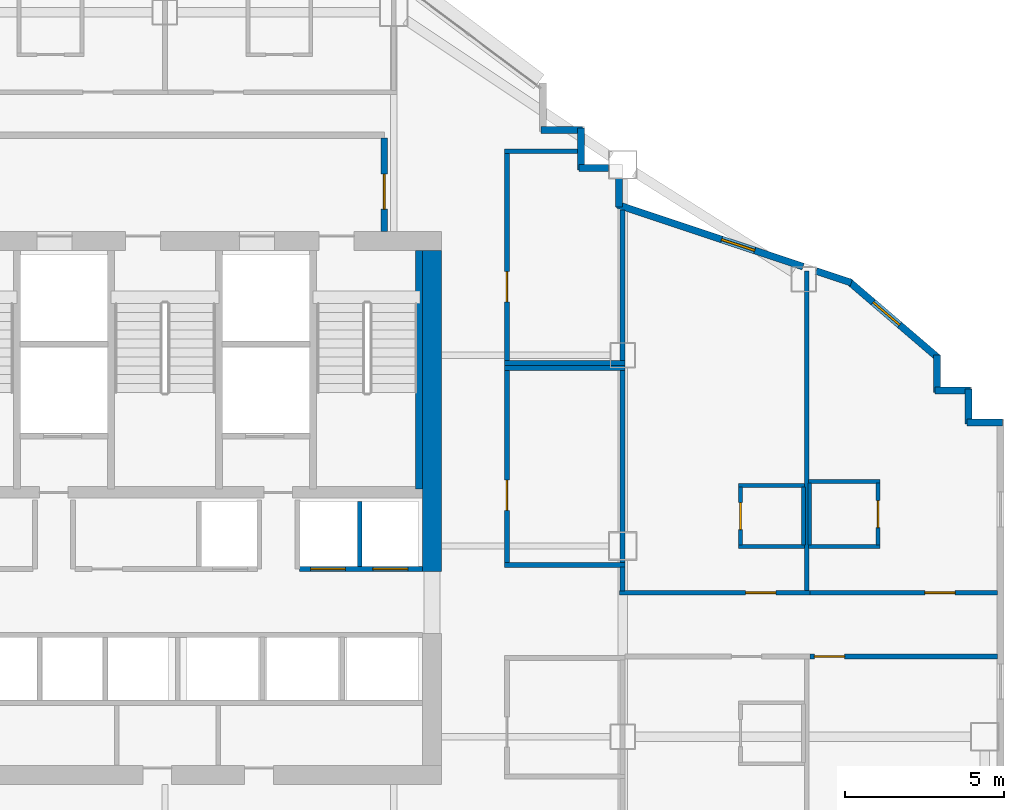
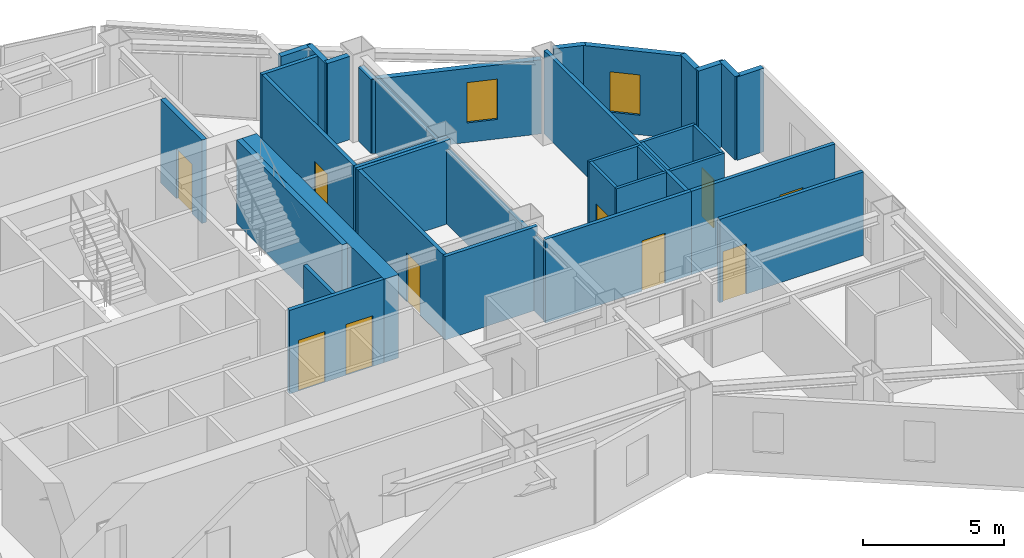
# One storey, part 8 of 11: 37 walls, 10 doors, 2 windows, 12 openings.
"""IFC4 building model written with IfcOpenShell, lengths in metres."""

from ifc_helpers import new_model, si_unit, direction, frame, frame_2d, origin, place, context, subcontext, project, spatial, rectangle, extrude, material, layer, layer_set, type_object, element, fill, save


model = new_model("IFC4")

# Units and contexts
model_context = context("Model", 3, precision=1e-05, world=origin(), true_north=direction((0.0, 1.0)))
body_context = subcontext(model_context, "Body", "Model", "MODEL_VIEW")
ifc_project = project(units=[si_unit("LENGTHUNIT", "METRE"), si_unit("AREAUNIT", "SQUARE_METRE"), si_unit("VOLUMEUNIT", "CUBIC_METRE"), si_unit("PLANEANGLEUNIT", "RADIAN"), si_unit("MASSUNIT", "GRAM", prefix="KILO")], contexts=[model_context])

# Site, building, storey
site_placement = place(None, origin())
site = spatial("IfcSite", under=ifc_project, at=site_placement, CompositionType="ELEMENT")
building_placement = place(site_placement, origin())
building = spatial("IfcBuilding", under=site, at=building_placement, Name="Haolan Belvedere Tower", CompositionType="ELEMENT")
storey_placement = place(building_placement, frame((0.0, 0.0, 172.800048828125)))
storey = spatial("IfcBuildingStorey", under=building, at=storey_placement, Name="L43", CompositionType="ELEMENT", Elevation=172.800048828125)

# Walls
ifc_material_1 = material(Name="Concrete C60/75", Category="concrete")
ifc_layer_1 = layer(ifc_material_1, 0.60009765625, Name="Concrete C60/75")
ifc_layer_set_1 = layer_set([ifc_layer_1], Name="Concrete C60/75")
wall_type_1 = type_object("IfcWallType", Name="WL-CORE-600", PredefinedType="SHEAR", material=ifc_layer_set_1)
wall_1_placement = place(storey_placement, frame((46.800048828125, 32.800048828125, 0.0), z_axis=(0.0, 0.0, 1.0), x_axis=(0.0, 1.0, 0.0)))
element("IfcWall", 1, at=wall_1_placement, inside=storey, type_object=wall_type_1, Name="L43 central core shear wall EN", PredefinedType="SHEAR", context=body_context, shape_type="SweptSolid", body=[
    extrude(rectangle(XDim=10.099853515625, YDim=0.60009765625, at=frame_2d((5.0498046875, 0.0))), origin(), (0.0, 0.0, 1.0), 3.619873046875),
])
ifc_material_2 = material(Name="Precast concrete C40/50", Category="concrete")
ifc_layer_2 = layer(ifc_material_2, 0.219970703125, Name="Precast concrete C40/50")
ifc_layer_set_2 = layer_set([ifc_layer_2], Name="Precast concrete C40/50")
wall_type_2 = type_object("IfcWallType", Name="WL-EXT-220", PredefinedType="SOLIDWALL", material=ifc_layer_set_2)
wall_2_placement = place(storey_placement, frame((64.7451171875, 37.489990234375, 0.0), z_axis=(0.0, 0.0, 1.0), x_axis=(-1.0, 0.0, 0.0)))
element("IfcWall", 2, at=wall_2_placement, inside=storey, type_object=wall_type_2, Name="L43 pale-metal exterior spandrel wall 9.1", PredefinedType="SOLIDWALL", context=body_context, shape_type="SweptSolid", body=[
    extrude(rectangle(XDim=1.110107421875, YDim=0.219970703125, at=frame_2d((0.55517578125, 0.0))), origin(), (0.0, 0.0, 1.0), 3.619873046875),
])
wall_3_placement = place(storey_placement, frame((63.68994140625, 37.43505859375, 0.0), z_axis=(0.0, 0.0, 1.0), x_axis=(0.0, 1.0, 0.0)))
element("IfcWall", 3, at=wall_3_placement, inside=storey, type_object=wall_type_2, Name="L43 pale-metal exterior spandrel wall 10.1", PredefinedType="SOLIDWALL", context=body_context, shape_type="SweptSolid", body=[
    extrude(rectangle(XDim=1.10986328125, YDim=0.219970703125, at=frame_2d((0.554931640625, 0.0))), origin(), (0.0, 0.0, 1.0), 3.619873046875),
])
wall_4_placement = place(storey_placement, frame((63.7451171875, 38.489990234375, 0.0), z_axis=(0.0, 0.0, 1.0), x_axis=(-1.0, 0.0, 0.0)))
element("IfcWall", 4, at=wall_4_placement, inside=storey, type_object=wall_type_2, Name="L43 pale-metal exterior spandrel wall 11.1", PredefinedType="SOLIDWALL", context=body_context, shape_type="SweptSolid", body=[
    extrude(rectangle(XDim=1.110107421875, YDim=0.219970703125, at=frame_2d((0.55517578125, 0.0))), origin(), (0.0, 0.0, 1.0), 3.619873046875),
])
wall_5_placement = place(storey_placement, frame((62.68994140625, 38.43505859375, 0.0), z_axis=(0.0, 0.0, 1.0), x_axis=(0.0, 1.0, 0.0)))
element("IfcWall", 5, at=wall_5_placement, inside=storey, type_object=wall_type_2, Name="L43 pale-metal exterior spandrel wall 12.1", PredefinedType="SOLIDWALL", context=body_context, shape_type="SweptSolid", body=[
    extrude(rectangle(XDim=1.16943359375, YDim=0.219970703125, at=frame_2d((0.584716796875, 0.0))), origin(), (0.0, 0.0, 1.0), 3.619873046875),
])

# Wall, opening, window
wall_6_placement = place(storey_placement, frame((62.731689453125, 39.513671875, 0.0), z_axis=(0.0, 0.0, 1.0), x_axis=(-0.759251976569, 0.65079677018, 0.0)))
wall_6 = element("IfcWall", 6, at=wall_6_placement, inside=storey, type_object=wall_type_2, Name="L43 pale-metal exterior spandrel wall 13.1", PredefinedType="SOLIDWALL", context=body_context, shape_type="SweptSolid", body=[
    extrude(rectangle(XDim=3.7255859375, YDim=0.219970703125, at=frame_2d((1.86279296875, 0.0))), origin(), (0.0, 0.0, 1.0), 3.619873046875),
])
opening_1_placement = place(wall_6_placement, frame((1.60009765625, 0.0, 0.85009765625)))
opening_1 = element("IfcOpeningElement", 7, at=opening_1_placement, cuts=wall_6, Name="Opening W-03", PredefinedType="OPENING", context=body_context, shape_type="SweptSolid", body=[
    extrude(rectangle(XDim=1.10009765625, YDim=1.75, at=frame_2d((0.550048828125, 0.875))), frame((0.0, 0.119873046875, 0.0), z_axis=(0.0, -1.0, 0.0), x_axis=(1.0, 0.0, 0.0)), (0.0, 0.0, 1.0), 0.239990234375),
])
ifc_material_3 = material(Name="Anodised aluminium 6063-T6 and Low-E glass", Category="aluminium")
window_type = type_object("IfcWindowType", Name="WN-DECO-Z3", PartitioningType="SINGLE_PANEL", PredefinedType="WINDOW", material=ifc_material_3)
window_1_placement = place(opening_1_placement, origin())
window_1 = element("IfcWindow", 8, at=window_1_placement, inside=storey, type_object=window_type, Name="L43 Art Deco chevron window 1", OverallHeight=1.75, OverallWidth=1.10009765625, PartitioningType="SINGLE_PANEL", PredefinedType="WINDOW", context=body_context, shape_type="SweptSolid", body=[
    extrude(rectangle(XDim=1.10009765625, YDim=1.75, at=frame_2d((0.550048828125, 0.875))), frame((0.0, 0.030029296875, 0.0), z_axis=(0.0, -1.0, 0.0), x_axis=(1.0, 0.0, 0.0)), (0.0, 0.0, 1.0), 0.06005859375),
])
fill(opening_1, window_1)

# Wall
wall_7_placement = place(storey_placement, frame((59.9970703125, 41.885009765625, 0.0), z_axis=(0.0, 0.0, 1.0), x_axis=(-0.948662335685, 0.316290646166, 0.0)))
element("IfcWall", 9, at=wall_7_placement, inside=storey, type_object=wall_type_2, Name="L43 pale-metal exterior spandrel wall 14.1", PredefinedType="SOLIDWALL", context=body_context, shape_type="SweptSolid", body=[
    extrude(rectangle(XDim=1.164794921875, YDim=0.219970703125, at=frame_2d((0.58251953125, 0.0))), origin(), (0.0, 0.0, 1.0), 3.619873046875),
])

# Wall, opening, window
wall_8_placement = place(storey_placement, frame((58.476318359375, 42.39208984375, 0.0), z_axis=(0.0, 0.0, 1.0), x_axis=(-0.948691231611, 0.316203964339, 0.0)))
wall_8 = element("IfcWall", 10, at=wall_8_placement, inside=storey, type_object=wall_type_2, Name="L43 pale-metal exterior spandrel wall 14.2", PredefinedType="SOLIDWALL", context=body_context, shape_type="SweptSolid", body=[
    extrude(rectangle(XDim=6.154296875, YDim=0.219970703125, at=frame_2d((3.0771484375, 0.0))), origin(), (0.0, 0.0, 1.0), 3.21484375),
])
opening_2_placement = place(wall_8_placement, frame((1.60009765625, 0.0, 0.85009765625)))
opening_2 = element("IfcOpeningElement", 11, at=opening_2_placement, cuts=wall_8, Name="Opening W-03", PredefinedType="OPENING", context=body_context, shape_type="SweptSolid", body=[
    extrude(rectangle(XDim=1.10009765625, YDim=1.75, at=frame_2d((0.550048828125, 0.875))), frame((0.0, 0.119873046875, 0.0), z_axis=(0.0, -1.0, 0.0), x_axis=(1.0, 0.0, 0.0)), (0.0, 0.0, 1.0), 0.239990234375),
])
window_2_placement = place(opening_2_placement, origin())
window_2 = element("IfcWindow", 12, at=window_2_placement, inside=storey, type_object=window_type, Name="L43 Art Deco chevron window 1", OverallHeight=1.75, OverallWidth=1.10009765625, PartitioningType="SINGLE_PANEL", PredefinedType="WINDOW", context=body_context, shape_type="SweptSolid", body=[
    extrude(rectangle(XDim=1.10009765625, YDim=1.75, at=frame_2d((0.550048828125, 0.875))), frame((0.0, 0.030029296875, 0.0), z_axis=(0.0, -1.0, 0.0), x_axis=(1.0, 0.0, 0.0)), (0.0, 0.0, 1.0), 0.06005859375),
])
fill(opening_2, window_2)

# Walls
wall_9_placement = place(storey_placement, frame((52.68994140625, 44.265625, 0.0), z_axis=(0.0, 0.0, 1.0), x_axis=(0.0, 1.0, 0.0)))
element("IfcWall", 13, at=wall_9_placement, inside=storey, type_object=wall_type_2, Name="L43 pale-metal exterior spandrel wall 15.1", PredefinedType="SOLIDWALL", context=body_context, shape_type="SweptSolid", body=[
    extrude(rectangle(XDim=0.892333984375, YDim=0.219970703125, at=frame_2d((0.4462890625, 0.0))), origin(), (0.0, 0.0, 1.0), 3.21484375),
])
wall_10_placement = place(storey_placement, frame((52.35791015625, 45.489990234375, 0.0), z_axis=(0.0, 0.0, 1.0), x_axis=(-1.0, 0.0, 0.0)))
element("IfcWall", 14, at=wall_10_placement, inside=storey, type_object=wall_type_2, Name="L43 pale-metal exterior spandrel wall 16.1", PredefinedType="SOLIDWALL", context=body_context, shape_type="SweptSolid", body=[
    extrude(rectangle(XDim=0.9228515625, YDim=0.219970703125, at=frame_2d((0.46142578125, 0.0))), origin(), (0.0, 0.0, 1.0), 3.619873046875),
])
wall_11_placement = place(storey_placement, frame((51.489990234375, 45.43505859375, 0.0), z_axis=(0.0, 0.0, 1.0), x_axis=(0.0, 1.0, 0.0)))
element("IfcWall", 15, at=wall_11_placement, inside=storey, type_object=wall_type_2, Name="L43 pale-metal exterior spandrel wall 17.1", PredefinedType="SOLIDWALL", context=body_context, shape_type="SweptSolid", body=[
    extrude(rectangle(XDim=1.31005859375, YDim=0.219970703125, at=frame_2d((0.655029296875, 0.0))), origin(), (0.0, 0.0, 1.0), 3.619873046875),
])
wall_12_placement = place(storey_placement, frame((51.544921875, 46.68994140625, 0.0), z_axis=(0.0, 0.0, 1.0), x_axis=(-1.0, 0.0, 0.0)))
element("IfcWall", 16, at=wall_12_placement, inside=storey, type_object=wall_type_2, Name="L43 pale-metal exterior spandrel wall 18.1", PredefinedType="SOLIDWALL", context=body_context, shape_type="SweptSolid", body=[
    extrude(rectangle(XDim=1.309814453125, YDim=0.219970703125, at=frame_2d((0.65478515625, 0.0))), origin(), (0.0, 0.0, 1.0), 3.619873046875),
])

# Wall, opening, door
ifc_material_4 = material(Name="Concrete C40/50", Category="concrete")
ifc_layer_3 = layer(ifc_material_4, 0.199951171875, Name="Concrete C40/50")
ifc_layer_set_3 = layer_set([ifc_layer_3], Name="Concrete C40/50")
wall_type_3 = type_object("IfcWallType", Name="WL-FIRE-200", PredefinedType="SOLIDWALL", material=ifc_layer_set_3)
wall_13_placement = place(storey_placement, frame((45.300048828125, 43.5, 0.0), z_axis=(0.0, 0.0, 1.0), x_axis=(0.0, 1.0, 0.0)))
wall_13 = element("IfcWall", 17, at=wall_13_placement, inside=storey, type_object=wall_type_3, Name="L43 interior partition IW-L43-FFL-E", PredefinedType="SOLIDWALL", context=body_context, shape_type="SweptSolid", body=[
    extrude(rectangle(XDim=2.93505859375, YDim=0.199951171875, at=frame_2d((1.467529296875, 0.0))), origin(), (0.0, 0.0, 1.0), 3.619873046875),
])
opening_3_placement = place(wall_13_placement, frame((0.699951171875, 0.0, 0.0)))
opening_3 = element("IfcOpeningElement", 18, at=opening_3_placement, cuts=wall_13, Name="Opening FD-03", PredefinedType="OPENING", context=body_context, shape_type="SweptSolid", body=[
    extrude(rectangle(XDim=1.10009765625, YDim=2.14990234375, at=frame_2d((0.550048828125, 1.074951171875))), frame((0.0, 0.10986328125, 0.0), z_axis=(0.0, -1.0, 0.0), x_axis=(1.0, 0.0, 0.0)), (0.0, 0.0, 1.0), 0.219970703125),
])
ifc_material_5 = material(Name="Galvanised fire-rated steel", Category="steel")
door_type_1 = type_object("IfcDoorType", Name="DR-FD90-1100", OperationType="NOTDEFINED", PredefinedType="DOOR", material=ifc_material_5)
door_1_placement = place(opening_3_placement, origin())
door_1 = element("IfcDoor", 19, at=door_1_placement, inside=storey, type_object=door_type_1, Name="L43 door ID-L43-FFL-DE", OperationType="SINGLE_SWING_RIGHT", OverallHeight=2.14990234375, OverallWidth=1.10009765625, PredefinedType="DOOR", context=body_context, shape_type="SweptSolid", body=[
    extrude(rectangle(XDim=1.10009765625, YDim=2.14990234375, at=frame_2d((0.550048828125, 1.074951171875))), frame((0.0, 0.02490234375, 0.0), z_axis=(0.0, -1.0, 0.0), x_axis=(1.0, 0.0, 0.0)), (0.0, 0.0, 1.0), 0.050048828125),
])
fill(opening_3, door_1)

# Walls
ifc_material_6 = material(Name="Double gypsum acoustic stud partition", Category="masonry")
ifc_layer_4 = layer(ifc_material_6, 0.14990234375, Name="Double gypsum acoustic stud partition")
ifc_layer_set_4 = layer_set([ifc_layer_4], Name="Double gypsum acoustic stud partition")
wall_type_4 = type_object("IfcWallType", Name="WL-PART-150", PredefinedType="PARTITIONING", material=ifc_layer_set_4)
for number, where, z_axis, x_axis, name in (
    (20, (49.080078125, 39.199951171875, 0.0), (0.0, 0.0, 1.0), (1.0, 0.0, 0.0), "L43 interior partition IW-L43-HSK-N"),
    (21, (49.080078125, 33.0, 0.0), (0.0, 0.0, 1.0), (1.0, 0.0, 0.0), "L43 interior partition IW-L43-HSK-S"),
):
    element("IfcWall", number, at=place(storey_placement, frame(where, z_axis=z_axis, x_axis=x_axis)), inside=storey, type_object=wall_type_4, Name=name, PredefinedType="PARTITIONING", context=body_context, shape_type="SweptSolid", body=[
        extrude(rectangle(XDim=3.7998046875, YDim=0.14990234375, at=frame_2d((1.89990234375, 0.0))), origin(), (0.0, 0.0, 1.0), 3.619873046875),
    ])

# Wall, opening, door
wall_14_placement = place(storey_placement, frame((49.159912109375, 33.06005859375, 0.0), z_axis=(0.0, 0.0, 1.0), x_axis=(0.0, 1.0, 0.0)))
wall_14 = element("IfcWall", 22, at=wall_14_placement, inside=storey, type_object=wall_type_4, Name="L43 interior partition IW-L43-HSK-W", PredefinedType="PARTITIONING", context=body_context, shape_type="SweptSolid", body=[
    extrude(rectangle(XDim=6.079833984375, YDim=0.14990234375, at=frame_2d((3.0400390625, 0.0))), origin(), (0.0, 0.0, 1.0), 3.619873046875),
])
opening_4_placement = place(wall_14_placement, frame((1.659912109375, 0.0, 0.0)))
opening_4 = element("IfcOpeningElement", 23, at=opening_4_placement, cuts=wall_14, Name="Opening ID-03", PredefinedType="OPENING", context=body_context, shape_type="SweptSolid", body=[
    extrude(rectangle(XDim=0.949951171875, YDim=2.1201171875, at=frame_2d((0.47509765625, 1.06005859375))), frame((0.0, 0.0849609375, 0.0), z_axis=(0.0, -1.0, 0.0), x_axis=(1.0, 0.0, 0.0)), (0.0, 0.0, 1.0), 0.169921875),
])
ifc_material_7 = material(Name="Painted solid-core timber", Category="wood")
door_type_2 = type_object("IfcDoorType", Name="DR-INT-950", OperationType="NOTDEFINED", PredefinedType="DOOR", material=ifc_material_7)
door_2_placement = place(opening_4_placement, origin())
door_2 = element("IfcDoor", 24, at=door_2_placement, inside=storey, type_object=door_type_2, Name="L43 door ID-L43-HSK", OperationType="SINGLE_SWING_RIGHT", OverallHeight=2.1201171875, OverallWidth=0.949951171875, PredefinedType="DOOR", context=body_context, shape_type="SweptSolid", body=[
    extrude(rectangle(XDim=0.949951171875, YDim=2.1201171875, at=frame_2d((0.47509765625, 1.06005859375))), frame((0.0, 0.02490234375, 0.0), z_axis=(0.0, -1.0, 0.0), x_axis=(1.0, 0.0, 0.0)), (0.0, 0.0, 1.0), 0.050048828125),
])
fill(opening_4, door_2)

# Walls
wall_15_placement = place(storey_placement, frame((52.800048828125, 33.06005859375, 0.0), z_axis=(0.0, 0.0, 1.0), x_axis=(0.0, 1.0, 0.0)))
element("IfcWall", 25, at=wall_15_placement, inside=storey, type_object=wall_type_4, Name="L43 interior partition IW-L43-HSK-E", PredefinedType="PARTITIONING", context=body_context, shape_type="SweptSolid", body=[
    extrude(rectangle(XDim=6.079833984375, YDim=0.14990234375, at=frame_2d((3.0400390625, 0.0))), origin(), (0.0, 0.0, 1.0), 3.21484375),
])
wall_16_placement = place(storey_placement, frame((49.080078125, 46.02001953125, 0.0), z_axis=(0.0, 0.0, 1.0), x_axis=(1.0, 0.0, 0.0)))
element("IfcWall", 26, at=wall_16_placement, inside=storey, type_object=wall_type_4, Name="L43 interior partition IW-L43-MTG-N", PredefinedType="PARTITIONING", context=body_context, shape_type="SweptSolid", body=[
    extrude(rectangle(XDim=2.307861328125, YDim=0.14990234375, at=frame_2d((1.15380859375, 0.0))), origin(), (0.0, 0.0, 1.0), 3.619873046875),
])
wall_17_placement = place(storey_placement, frame((49.080078125, 39.360107421875, 0.0), z_axis=(0.0, 0.0, 1.0), x_axis=(1.0, 0.0, 0.0)))
element("IfcWall", 27, at=wall_17_placement, inside=storey, type_object=wall_type_4, Name="L43 interior partition IW-L43-MTG-S", PredefinedType="PARTITIONING", context=body_context, shape_type="SweptSolid", body=[
    extrude(rectangle(XDim=3.7998046875, YDim=0.14990234375, at=frame_2d((1.89990234375, 0.0))), origin(), (0.0, 0.0, 1.0), 3.619873046875),
])

# Wall, opening, door
wall_18_placement = place(storey_placement, frame((49.159912109375, 39.419921875, 0.0), z_axis=(0.0, 0.0, 1.0), x_axis=(0.0, 1.0, 0.0)))
wall_18 = element("IfcWall", 28, at=wall_18_placement, inside=storey, type_object=wall_type_4, Name="L43 interior partition IW-L43-MTG-W", PredefinedType="PARTITIONING", context=body_context, shape_type="SweptSolid", body=[
    extrude(rectangle(XDim=6.5400390625, YDim=0.14990234375, at=frame_2d((3.27001953125, 0.0))), origin(), (0.0, 0.0, 1.0), 3.619873046875),
])
opening_5_placement = place(wall_18_placement, frame((1.860107421875, 0.0, 0.0)))
opening_5 = element("IfcOpeningElement", 29, at=opening_5_placement, cuts=wall_18, Name="Opening ID-03", PredefinedType="OPENING", context=body_context, shape_type="SweptSolid", body=[
    extrude(rectangle(XDim=0.949951171875, YDim=2.1201171875, at=frame_2d((0.47509765625, 1.06005859375))), frame((0.0, 0.0849609375, 0.0), z_axis=(0.0, -1.0, 0.0), x_axis=(1.0, 0.0, 0.0)), (0.0, 0.0, 1.0), 0.169921875),
])
door_3_placement = place(opening_5_placement, origin())
door_3 = element("IfcDoor", 30, at=door_3_placement, inside=storey, type_object=door_type_2, Name="L43 door ID-L43-MTG", OperationType="SINGLE_SWING_LEFT", OverallHeight=2.1201171875, OverallWidth=0.949951171875, PredefinedType="DOOR", context=body_context, shape_type="SweptSolid", body=[
    extrude(rectangle(XDim=0.949951171875, YDim=2.1201171875, at=frame_2d((0.47509765625, 1.06005859375))), frame((0.0, 0.02490234375, 0.0), z_axis=(0.0, -1.0, 0.0), x_axis=(1.0, 0.0, 0.0)), (0.0, 0.0, 1.0), 0.050048828125),
])
fill(opening_5, door_3)

# Wall
wall_19_placement = place(storey_placement, frame((52.800048828125, 39.419921875, 0.0), z_axis=(0.0, 0.0, 1.0), x_axis=(0.0, 1.0, 0.0)))
element("IfcWall", 31, at=wall_19_placement, inside=storey, type_object=wall_type_4, Name="L43 interior partition IW-L43-MTG-E", PredefinedType="PARTITIONING", context=body_context, shape_type="SweptSolid", body=[
    extrude(rectangle(XDim=4.756591796875, YDim=0.14990234375, at=frame_2d((2.37841796875, 0.0))), origin(), (0.0, 0.0, 1.0), 3.21484375),
])

# Wall, opening, door
wall_20_placement = place(storey_placement, frame((52.699951171875, 32.1298828125, 0.0), z_axis=(0.0, 0.0, 1.0), x_axis=(1.0, 0.0, 0.0)))
wall_20 = element("IfcWall", 32, at=wall_20_placement, inside=storey, type_object=wall_type_4, Name="L43 interior partition IW-L43-T4N1-S", PredefinedType="PARTITIONING", context=body_context, shape_type="SweptSolid", body=[
    extrude(rectangle(XDim=5.989990234375, YDim=0.14990234375, at=frame_2d((2.9951171875, 0.0))), origin(), (0.0, 0.0, 1.0), 3.619873046875),
])
opening_6_placement = place(wall_20_placement, frame((3.968505859375, 0.0, 0.0)))
opening_6 = element("IfcOpeningElement", 33, at=opening_6_placement, cuts=wall_20, Name="Opening ID-01", PredefinedType="OPENING", context=body_context, shape_type="SweptSolid", body=[
    extrude(rectangle(XDim=0.949951171875, YDim=2.179931640625, at=frame_2d((0.47509765625, 1.08984375))), frame((0.0, 0.0849609375, 0.0), z_axis=(0.0, -1.0, 0.0), x_axis=(1.0, 0.0, 0.0)), (0.0, 0.0, 1.0), 0.169921875),
])
ifc_material_8 = material(Name="Acoustic walnut veneer fire-rated timber", Category="wood")
door_type_3 = type_object("IfcDoorType", Name="DR-SUITE-950", OperationType="NOTDEFINED", PredefinedType="DOOR", material=ifc_material_8)
door_4_placement = place(opening_6_placement, origin())
door_4 = element("IfcDoor", 34, at=door_4_placement, inside=storey, type_object=door_type_3, Name="L43 door ID-L43-T4N1-ENT", OperationType="SINGLE_SWING_LEFT", OverallHeight=2.179931640625, OverallWidth=0.949951171875, PredefinedType="DOOR", context=body_context, shape_type="SweptSolid", body=[
    extrude(rectangle(XDim=0.949951171875, YDim=2.179931640625, at=frame_2d((0.47509765625, 1.08984375))), frame((0.0, 0.02490234375, 0.0), z_axis=(0.0, -1.0, 0.0), x_axis=(1.0, 0.0, 0.0)), (0.0, 0.0, 1.0), 0.050048828125),
])
fill(opening_6, door_4)

# Walls
wall_21_placement = place(storey_placement, frame((52.800048828125, 32.18994140625, 0.0), z_axis=(0.0, 0.0, 1.0), x_axis=(0.0, 1.0, 0.0)))
element("IfcWall", 35, at=wall_21_placement, inside=storey, type_object=wall_type_4, Name="L43 interior partition IW-L43-T4N1-W", PredefinedType="PARTITIONING", context=body_context, shape_type="SweptSolid", body=[
    extrude(rectangle(XDim=0.75, YDim=0.14990234375, at=frame_2d((0.375, 0.0))), origin(), (0.0, 0.0, 1.0), 3.21484375),
])
wall_22_placement = place(storey_placement, frame((58.590087890625, 32.18994140625, 0.0), z_axis=(0.0, 0.0, 1.0), x_axis=(0.0, 1.0, 0.0)))
element("IfcWall", 36, at=wall_22_placement, inside=storey, type_object=wall_type_4, Name="L43 interior partition IW-L43-T4N1-E", PredefinedType="PARTITIONING", context=body_context, shape_type="SweptSolid", body=[
    extrude(rectangle(XDim=10.056640625, YDim=0.14990234375, at=frame_2d((5.0283203125, 0.0))), origin(), (0.0, 0.0, 1.0), 3.619873046875),
])

# Wall, opening, door
wall_23_placement = place(storey_placement, frame((58.69189453125, 32.1298828125, 0.0), z_axis=(0.0, 0.0, 1.0), x_axis=(1.0, 0.0, 0.0)))
wall_23 = element("IfcWall", 37, at=wall_23_placement, inside=storey, type_object=wall_type_4, Name="L43 interior partition IW-L43-T4N2-S", PredefinedType="PARTITIONING", context=body_context, shape_type="SweptSolid", body=[
    extrude(rectangle(XDim=5.89599609375, YDim=0.14990234375, at=frame_2d((2.947998046875, 0.0))), origin(), (0.0, 0.0, 1.0), 3.619873046875),
])
opening_7_placement = place(wall_23_placement, frame((3.62158203125, 0.0, 0.0)))
opening_7 = element("IfcOpeningElement", 38, at=opening_7_placement, cuts=wall_23, Name="Opening ID-01", PredefinedType="OPENING", context=body_context, shape_type="SweptSolid", body=[
    extrude(rectangle(XDim=0.949951171875, YDim=2.179931640625, at=frame_2d((0.47509765625, 1.08984375))), frame((0.0, 0.0849609375, 0.0), z_axis=(0.0, -1.0, 0.0), x_axis=(1.0, 0.0, 0.0)), (0.0, 0.0, 1.0), 0.169921875),
])
door_5_placement = place(opening_7_placement, origin())
door_5 = element("IfcDoor", 39, at=door_5_placement, inside=storey, type_object=door_type_3, Name="L43 door ID-L43-T4N2-ENT", OperationType="SINGLE_SWING_RIGHT", OverallHeight=2.179931640625, OverallWidth=0.949951171875, PredefinedType="DOOR", context=body_context, shape_type="SweptSolid", body=[
    extrude(rectangle(XDim=0.949951171875, YDim=2.179931640625, at=frame_2d((0.47509765625, 1.08984375))), frame((0.0, 0.02490234375, 0.0), z_axis=(0.0, -1.0, 0.0), x_axis=(1.0, 0.0, 0.0)), (0.0, 0.0, 1.0), 0.050048828125),
])
fill(opening_7, door_5)

wall_24_placement = place(storey_placement, frame((58.69189453125, 30.1201171875, 0.0), z_axis=(0.0, 0.0, 1.0), x_axis=(1.0, 0.0, 0.0)))
wall_24 = element("IfcWall", 40, at=wall_24_placement, inside=storey, type_object=wall_type_4, Name="L43 interior partition IW-L43-T4S2-N", PredefinedType="PARTITIONING", context=body_context, shape_type="SweptSolid", body=[
    extrude(rectangle(XDim=5.89599609375, YDim=0.14990234375, at=frame_2d((2.947998046875, 0.0))), origin(), (0.0, 0.0, 1.0), 3.619873046875),
])
opening_8_placement = place(wall_24_placement, frame((1.08984375, 0.0, 0.0), z_axis=(0.0, 0.0, 1.0), x_axis=(-1.0, 0.0, 0.0)))
opening_8 = element("IfcOpeningElement", 41, at=opening_8_placement, cuts=wall_24, Name="Opening ID-01", PredefinedType="OPENING", context=body_context, shape_type="SweptSolid", body=[
    extrude(rectangle(XDim=0.949951171875, YDim=2.179931640625, at=frame_2d((0.47509765625, 1.08984375))), frame((0.0, 0.0849609375, 0.0), z_axis=(0.0, -1.0, 0.0), x_axis=(1.0, 0.0, 0.0)), (0.0, 0.0, 1.0), 0.169921875),
])
door_6_placement = place(opening_8_placement, origin())
door_6 = element("IfcDoor", 42, at=door_6_placement, inside=storey, type_object=door_type_3, Name="L43 door ID-L43-T4S2-ENT", OperationType="SINGLE_SWING_RIGHT", OverallHeight=2.179931640625, OverallWidth=0.949951171875, PredefinedType="DOOR", context=body_context, shape_type="SweptSolid", body=[
    extrude(rectangle(XDim=0.949951171875, YDim=2.179931640625, at=frame_2d((0.47509765625, 1.08984375))), frame((0.0, 0.02490234375, 0.0), z_axis=(0.0, -1.0, 0.0), x_axis=(1.0, 0.0, 0.0)), (0.0, 0.0, 1.0), 0.050048828125),
])
fill(opening_8, door_6)

# Wall, openings, doors
ifc_material_9 = material(Name="Gypsum fire shaftwall assembly", Category="masonry")
ifc_layer_5 = layer(ifc_material_9, 0.1650390625, Name="Gypsum fire shaftwall assembly")
ifc_layer_set_5 = layer_set([ifc_layer_5], Name="Gypsum fire shaftwall assembly")
wall_type_5 = type_object("IfcWallType", Name="WL-SHAFT-160", PredefinedType="SOLIDWALL", material=ifc_layer_set_5)
wall_25_placement = place(storey_placement, frame((42.6298828125, 32.8798828125, 0.0), z_axis=(0.0, 0.0, 1.0), x_axis=(1.0, 0.0, 0.0)))
wall_25 = element("IfcWall", 43, at=wall_25_placement, inside=storey, type_object=wall_type_5, Name="L43 interior partition IW-L43-ROW-PN3", PredefinedType="SOLIDWALL", context=body_context, shape_type="SweptSolid", body=[
    extrude(rectangle(XDim=3.8701171875, YDim=0.159912109375, at=frame_2d((1.93505859375, 0.0))), origin(), (0.0, 0.0, 1.0), 3.619873046875),
])
opening_9_placement = place(wall_25_placement, frame((1.4501953125, 0.0, 0.0), z_axis=(0.0, 0.0, 1.0), x_axis=(-1.0, 0.0, 0.0)))
opening_9 = element("IfcOpeningElement", 44, at=opening_9_placement, cuts=wall_25, Name="Opening LD-01", PredefinedType="OPENING", context=body_context, shape_type="SweptSolid", body=[
    extrude(rectangle(XDim=1.10009765625, YDim=2.199951171875, at=frame_2d((0.550048828125, 1.10009765625))), frame((0.0, 0.08984375, 0.0), z_axis=(0.0, -1.0, 0.0), x_axis=(1.0, 0.0, 0.0)), (0.0, 0.0, 1.0), 0.179931640625),
])
opening_10_placement = place(wall_25_placement, frame((3.41015625, 0.0, 0.0), z_axis=(0.0, 0.0, 1.0), x_axis=(-1.0, 0.0, 0.0)))
opening_10 = element("IfcOpeningElement", 45, at=opening_10_placement, cuts=wall_25, Name="Opening LD-01", PredefinedType="OPENING", context=body_context, shape_type="SweptSolid", body=[
    extrude(rectangle(XDim=1.10009765625, YDim=2.199951171875, at=frame_2d((0.550048828125, 1.10009765625))), frame((0.0, 0.08984375, 0.0), z_axis=(0.0, -1.0, 0.0), x_axis=(1.0, 0.0, 0.0)), (0.0, 0.0, 1.0), 0.179931640625),
])
ifc_material_10 = material(Name="Brushed champagne stainless steel 316L", Category="steel")
door_type_4 = type_object("IfcDoorType", Name="DR-LIFT-1100", OperationType="SLIDING_TO_LEFT", PredefinedType="DOOR", material=ifc_material_10)
door_7_placement = place(opening_9_placement, origin())
door_7 = element("IfcDoor", 46, at=door_7_placement, inside=storey, type_object=door_type_4, Name="L43 door ID-L43-LD-PH2", OperationType="SLIDING_TO_RIGHT", OverallHeight=2.199951171875, OverallWidth=1.10009765625, PredefinedType="DOOR", context=body_context, shape_type="SweptSolid", body=[
    extrude(rectangle(XDim=1.10009765625, YDim=2.199951171875, at=frame_2d((0.550048828125, 1.10009765625))), frame((0.0, 0.02490234375, 0.0), z_axis=(0.0, -1.0, 0.0), x_axis=(1.0, 0.0, 0.0)), (0.0, 0.0, 1.0), 0.050048828125),
])
fill(opening_9, door_7)
door_8_placement = place(opening_10_placement, origin())
door_8 = element("IfcDoor", 47, at=door_8_placement, inside=storey, type_object=door_type_4, Name="L43 door ID-L43-LD-PH3", OperationType="SLIDING_TO_RIGHT", OverallHeight=2.199951171875, OverallWidth=1.10009765625, PredefinedType="DOOR", context=body_context, shape_type="SweptSolid", body=[
    extrude(rectangle(XDim=1.10009765625, YDim=2.199951171875, at=frame_2d((0.550048828125, 1.10009765625))), frame((0.0, 0.02490234375, 0.0), z_axis=(0.0, -1.0, 0.0), x_axis=(1.0, 0.0, 0.0)), (0.0, 0.0, 1.0), 0.050048828125),
])
fill(opening_10, door_8)

# Walls
wall_26_placement = place(storey_placement, frame((44.530029296875, 32.949951171875, 0.0), z_axis=(0.0, 0.0, 1.0), x_axis=(0.0, 1.0, 0.0)))
element("IfcWall", 48, at=wall_26_placement, inside=storey, type_object=wall_type_5, Name="L43 interior partition IW-L43-DIV-PH2", PredefinedType="SOLIDWALL", context=body_context, shape_type="SweptSolid", body=[
    extrude(rectangle(XDim=2.050048828125, YDim=0.14990234375, at=frame_2d((1.02490234375, 0.0))), origin(), (0.0, 0.0, 1.0), 3.619873046875),
])
ifc_material_11 = material(Name="Concrete C50/60", Category="concrete")
ifc_layer_6 = layer(ifc_material_11, 0.219970703125, Name="Concrete C50/60")
ifc_layer_set_6 = layer_set([ifc_layer_6], Name="Concrete C50/60")
wall_type_6 = type_object("IfcWallType", Name="WL-STAIR-220", PredefinedType="SHEAR", material=ifc_layer_set_6)
wall_27_placement = place(storey_placement, frame((46.387939453125, 35.389892578125, 0.0), z_axis=(0.0, 0.0, 1.0), x_axis=(0.0, 1.0, 0.0)))
element("IfcWall", 49, at=wall_27_placement, inside=storey, type_object=wall_type_6, Name="L43 structural stair core wall ST2E", PredefinedType="SHEAR", context=body_context, shape_type="SweptSolid", body=[
    extrude(rectangle(XDim=7.510009765625, YDim=0.219970703125, at=frame_2d((3.7548828125, 0.0))), origin(), (0.0, 0.0, 1.0), 3.619873046875),
])
ifc_material_12 = material(Name="Moisture-resistant gypsum tile partition", Category="masonry")
ifc_layer_7 = layer(ifc_material_12, 0.1201171875, Name="Moisture-resistant gypsum tile partition")
ifc_layer_set_7 = layer_set([ifc_layer_7], Name="Moisture-resistant gypsum tile partition")
wall_type_7 = type_object("IfcWallType", Name="WL-WET-120", PredefinedType="PARTITIONING", material=ifc_layer_set_7)
for number, where, z_axis, x_axis, name in (
    (50, (56.449951171875, 35.5, 0.0), (0.0, 0.0, 1.0), (1.0, 0.0, 0.0), "L43 interior partition IW-L43-T4N1-BN"),
    (51, (56.449951171875, 33.580078125, 0.0), (0.0, 0.0, 1.0), (1.0, 0.0, 0.0), "L43 interior partition IW-L43-T4N1-BS"),
):
    element("IfcWall", number, at=place(storey_placement, frame(where, z_axis=z_axis, x_axis=x_axis)), inside=storey, type_object=wall_type_7, Name=name, PredefinedType="PARTITIONING", context=body_context, shape_type="SweptSolid", body=[
        extrude(rectangle(XDim=2.080078125, YDim=0.1201171875, at=frame_2d((1.0400390625, 0.0))), origin(), (0.0, 0.0, 1.0), 3.619873046875),
    ])

# Wall, opening, door
wall_28_placement = place(storey_placement, frame((56.510009765625, 33.625, 0.0), z_axis=(0.0, 0.0, 1.0), x_axis=(0.0, 1.0, 0.0)))
wall_28 = element("IfcWall", 52, at=wall_28_placement, inside=storey, type_object=wall_type_7, Name="L43 interior partition IW-L43-T4N1-BW", PredefinedType="PARTITIONING", context=body_context, shape_type="SweptSolid", body=[
    extrude(rectangle(XDim=1.830078125, YDim=0.1201171875, at=frame_2d((0.9150390625, 0.0))), origin(), (0.0, 0.0, 1.0), 3.619873046875),
])
opening_11_placement = place(wall_28_placement, frame((1.340087890625, 0.0, 0.0), z_axis=(0.0, 0.0, 1.0), x_axis=(-1.0, 0.0, 0.0)))
opening_11 = element("IfcOpeningElement", 53, at=opening_11_placement, cuts=wall_28, Name="Opening ID-05", PredefinedType="OPENING", context=body_context, shape_type="SweptSolid", body=[
    extrude(rectangle(XDim=0.85009765625, YDim=2.10009765625, at=frame_2d((0.425048828125, 1.050048828125))), frame((0.0, 0.070068359375, 0.0), z_axis=(0.0, -1.0, 0.0), x_axis=(1.0, 0.0, 0.0)), (0.0, 0.0, 1.0), 0.14013671875),
])
ifc_material_13 = material(Name="Moisture-resistant lacquered timber", Category="wood")
door_type_5 = type_object("IfcDoorType", Name="DR-BATH-850", OperationType="NOTDEFINED", PredefinedType="DOOR", material=ifc_material_13)
door_9_placement = place(opening_11_placement, origin())
door_9 = element("IfcDoor", 54, at=door_9_placement, inside=storey, type_object=door_type_5, Name="L43 door ID-L43-T4N1-BATH", OperationType="SINGLE_SWING_RIGHT", OverallHeight=2.10009765625, OverallWidth=0.85009765625, PredefinedType="DOOR", context=body_context, shape_type="SweptSolid", body=[
    extrude(rectangle(XDim=0.85009765625, YDim=2.10009765625, at=frame_2d((0.425048828125, 1.050048828125))), frame((0.0, 0.02490234375, 0.0), z_axis=(0.0, -1.0, 0.0), x_axis=(1.0, 0.0, 0.0)), (0.0, 0.0, 1.0), 0.050048828125),
])
fill(opening_11, door_9)

# Walls
wall_29_placement = place(storey_placement, frame((58.489990234375, 33.625, 0.0), z_axis=(0.0, 0.0, 1.0), x_axis=(0.0, 1.0, 0.0)))
element("IfcWall", 55, at=wall_29_placement, inside=storey, type_object=wall_type_7, Name="L43 interior partition IW-L43-T4N1-BE", PredefinedType="PARTITIONING", context=body_context, shape_type="SweptSolid", body=[
    extrude(rectangle(XDim=1.830078125, YDim=0.1201171875, at=frame_2d((0.9150390625, 0.0))), origin(), (0.0, 0.0, 1.0), 3.619873046875),
])
for number, where, z_axis, x_axis, name in (
    (56, (58.64990234375, 35.6298828125, 0.0), (0.0, 0.0, 1.0), (1.0, 0.0, 0.0), "L43 interior partition IW-L43-T4N2-BN"),
    (57, (58.64990234375, 33.580078125, 0.0), (0.0, 0.0, 1.0), (1.0, 0.0, 0.0), "L43 interior partition IW-L43-T4N2-BS"),
):
    element("IfcWall", number, at=place(storey_placement, frame(where, z_axis=z_axis, x_axis=x_axis)), inside=storey, type_object=wall_type_7, Name=name, PredefinedType="PARTITIONING", context=body_context, shape_type="SweptSolid", body=[
        extrude(rectangle(XDim=2.25, YDim=0.1201171875, at=frame_2d((1.125, 0.0))), origin(), (0.0, 0.0, 1.0), 3.619873046875),
    ])
wall_30_placement = place(storey_placement, frame((58.68994140625, 33.625, 0.0), z_axis=(0.0, 0.0, 1.0), x_axis=(0.0, 1.0, 0.0)))
element("IfcWall", 58, at=wall_30_placement, inside=storey, type_object=wall_type_7, Name="L43 interior partition IW-L43-T4N2-BW", PredefinedType="PARTITIONING", context=body_context, shape_type="SweptSolid", body=[
    extrude(rectangle(XDim=1.9599609375, YDim=0.1201171875, at=frame_2d((0.97998046875, 0.0))), origin(), (0.0, 0.0, 1.0), 3.619873046875),
])

# Wall, opening, door
wall_31_placement = place(storey_placement, frame((60.840087890625, 33.625, 0.0), z_axis=(0.0, 0.0, 1.0), x_axis=(0.0, 1.0, 0.0)))
wall_31 = element("IfcWall", 59, at=wall_31_placement, inside=storey, type_object=wall_type_7, Name="L43 interior partition IW-L43-T4N2-BE", PredefinedType="PARTITIONING", context=body_context, shape_type="SweptSolid", body=[
    extrude(rectangle(XDim=1.9599609375, YDim=0.1201171875, at=frame_2d((0.97998046875, 0.0))), origin(), (0.0, 0.0, 1.0), 3.619873046875),
])
opening_12_placement = place(wall_31_placement, frame((0.554931640625, 0.0, 0.0)))
opening_12 = element("IfcOpeningElement", 60, at=opening_12_placement, cuts=wall_31, Name="Opening ID-05", PredefinedType="OPENING", context=body_context, shape_type="SweptSolid", body=[
    extrude(rectangle(XDim=0.85009765625, YDim=2.10009765625, at=frame_2d((0.425048828125, 1.050048828125))), frame((0.0, 0.070068359375, 0.0), z_axis=(0.0, -1.0, 0.0), x_axis=(1.0, 0.0, 0.0)), (0.0, 0.0, 1.0), 0.14013671875),
])
door_10_placement = place(opening_12_placement, origin())
door_10 = element("IfcDoor", 61, at=door_10_placement, inside=storey, type_object=door_type_5, Name="L43 door ID-L43-T4N2-BATH", OperationType="SINGLE_SWING_LEFT", OverallHeight=2.10009765625, OverallWidth=0.85009765625, PredefinedType="DOOR", context=body_context, shape_type="SweptSolid", body=[
    extrude(rectangle(XDim=0.85009765625, YDim=2.10009765625, at=frame_2d((0.425048828125, 1.050048828125))), frame((0.0, 0.02490234375, 0.0), z_axis=(0.0, -1.0, 0.0), x_axis=(1.0, 0.0, 0.0)), (0.0, 0.0, 1.0), 0.050048828125),
])
fill(opening_12, door_10)

save(model, "model.ifc")
